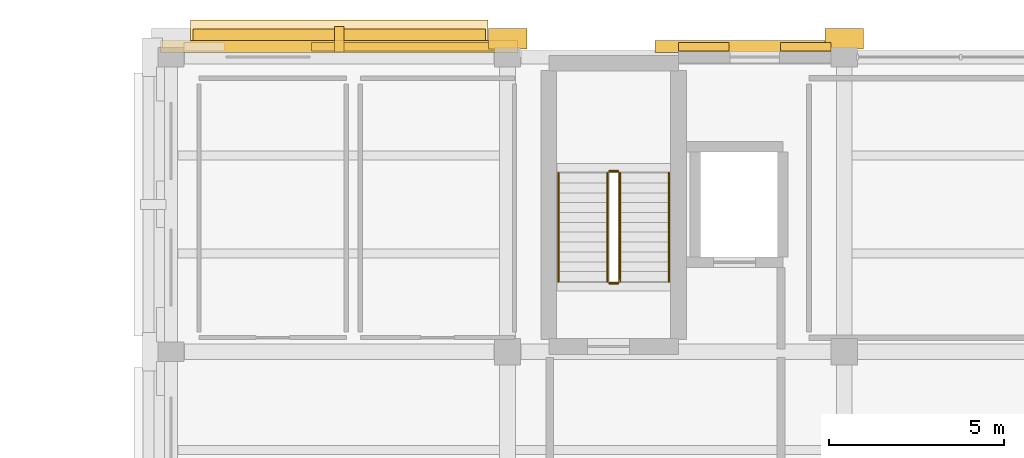
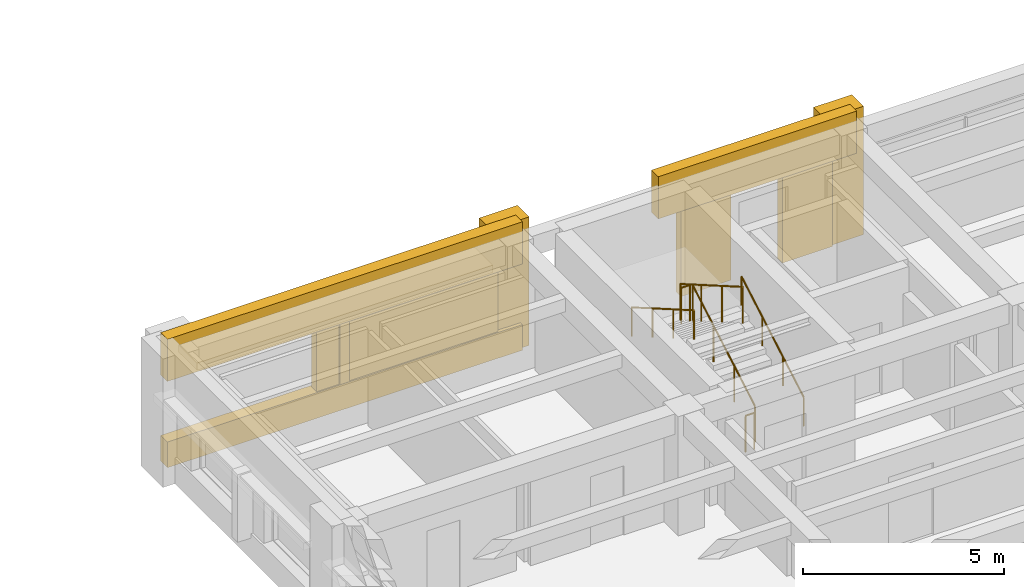
# One storey, part 9 of 10: 10 coverings, 6 railings, 1 shading device.
"""IFC4 building model written with IfcOpenShell, lengths in metres."""

from ifc_helpers import new_model, si_unit, direction, frame, origin, origin_2d, place, context, subcontext, project, spatial, rectangle, circle, extrude, material, layer, layer_set, type_object, element, save


model = new_model("IFC4")

# Units and contexts
model_context = context("Model", 3, precision=1e-05, world=origin(), true_north=direction((0.0, 1.0)))
body_context = subcontext(model_context, "Body", "Model", "MODEL_VIEW")
ifc_project = project(units=[si_unit("LENGTHUNIT", "METRE"), si_unit("AREAUNIT", "SQUARE_METRE"), si_unit("VOLUMEUNIT", "CUBIC_METRE"), si_unit("PLANEANGLEUNIT", "RADIAN"), si_unit("MASSUNIT", "GRAM", prefix="KILO")], contexts=[model_context])

# Site, building, storey
site_placement = place(None, origin())
site = spatial("IfcSite", under=ifc_project, at=site_placement, CompositionType="ELEMENT")
building_placement = place(site_placement, origin())
building = spatial("IfcBuilding", under=site, at=building_placement, Name="Bempovik Park Faculty of Sciences", CompositionType="ELEMENT")
storey_placement = place(building_placement, frame((0.0, 0.0, 26.699951171875)))
storey = spatial("IfcBuildingStorey", under=building, at=storey_placement, Name="L06", CompositionType="ELEMENT", Elevation=26.699951171875)

# Coverings
ifc_material_1 = material(Name="Precast concrete C40/50", Category="concrete")
ifc_layer_1 = layer(ifc_material_1, 0.179931640625)
ifc_layer_set_1 = layer_set([ifc_layer_1], Name="Precast concrete C40/50")
covering_type_1 = type_object("IfcCoveringType", Name="CL-02 Classical Cornice Band 180mm", PredefinedType="CLADDING", material=ifc_layer_set_1)
covering_1_placement = place(storey_placement, frame((64.800048828125, 120.0, 2.66015625), z_axis=(0.0, 0.0, 1.0), x_axis=(1.0, 0.0, 0.0)))
element("IfcCovering", 1, at=covering_1_placement, inside=storey, type_object=covering_type_1, Name="L06 Classical Stone Solar Window Hood EW-L06-10384", PredefinedType="CLADDING", context=body_context, shape_type="SweptSolid", body=[
    extrude(rectangle(XDim=8.49609375, YDim=0.919921875, at=origin_2d()), origin(), (0.0, 0.0, 1.0), 0.219970703125),
])
ifc_material_2 = material(Name="White reconstituted limestone precast C40/50", Category="masonry")
ifc_layer_2 = layer(ifc_material_2, 0.239990234375)
ifc_layer_set_2 = layer_set([ifc_layer_2], Name="White reconstituted limestone precast C40/50")
covering_type_2 = type_object("IfcCoveringType", Name="CL-03 Classical Fluted Limestone Pilaster 240mm", PredefinedType="CLADDING", material=ifc_layer_set_2)
covering_2_placement = place(storey_placement, frame((64.800048828125, 119.7099609375, 2.6201171875), z_axis=(0.0, 0.0, 1.0), x_axis=(1.0, 0.0, 0.0)))
element("IfcCovering", 2, at=covering_2_placement, inside=storey, type_object=covering_type_2, Name="L06 Classical Limestone Spandrel Entablature EW-L06-10384", PredefinedType="CLADDING", context=body_context, shape_type="SweptSolid", body=[
    extrude(rectangle(XDim=10.196044921875, YDim=0.340087890625, at=origin_2d()), origin(), (0.0, 0.0, 1.0), 1.280029296875),
])
covering_3_placement = place(storey_placement, frame((64.800048828125, 119.7099609375, 0.0), z_axis=(0.0, 0.0, 1.0), x_axis=(1.0, 0.0, 0.0)))
element("IfcCovering", 3, at=covering_3_placement, inside=storey, type_object=covering_type_2, Name="L06 Classical Limestone Sill Dado EW-L06-10384", PredefinedType="CLADDING", context=body_context, shape_type="SweptSolid", body=[
    extrude(rectangle(XDim=10.196044921875, YDim=0.340087890625, at=origin_2d()), origin(), (0.0, 0.0, 1.0), 0.780029296875),
])
covering_4_placement = place(storey_placement, frame((69.60009765625, 119.929931640625, 0.0), z_axis=(0.0, 0.0, 1.0), x_axis=(1.0, 0.0, 0.0)))
element("IfcCovering", 4, at=covering_4_placement, inside=storey, type_object=covering_type_2, Name="L06 Classical Fluted Stone Pilaster PIL-BA-L06-696-1199", PredefinedType="CLADDING", context=body_context, shape_type="SweptSolid", body=[
    extrude(rectangle(XDim=1.10009765625, YDim=0.580078125, at=origin_2d()), origin(), (0.0, 0.0, 1.0), 3.89990234375),
])
covering_5_placement = place(storey_placement, frame((66.6142578125, 119.699951171875, 0.0), z_axis=(0.0, 0.0, 1.0), x_axis=(1.0, 0.0, 0.0)))
element("IfcCovering", 5, at=covering_5_placement, inside=storey, type_object=covering_type_2, Name="L06 White Limestone Wall Cheek EW-L06-10384-2", PredefinedType="CLADDING", context=body_context, shape_type="SweptSolid", body=[
    extrude(rectangle(XDim=5.217529296875, YDim=0.239990234375, at=origin_2d()), origin(), (0.0, 0.0, 1.0), 2.780029296875),
])
covering_6_placement = place(storey_placement, frame((64.800048828125, 119.909912109375, 0.64990234375), z_axis=(0.0, 0.0, 1.0), x_axis=(1.0, 0.0, 0.0)))
element("IfcCovering", 6, at=covering_6_placement, inside=storey, type_object=covering_type_2, Name="L06 Classical Vertical Stone Shading Fin EW-L06-10384", PredefinedType="CLADDING", context=body_context, shape_type="SweptSolid", body=[
    extrude(rectangle(XDim=0.280029296875, YDim=0.719970703125, at=origin_2d()), origin(), (0.0, 0.0, 1.0), 2.050048828125),
])
covering_7_placement = place(storey_placement, frame((76.6494140625, 119.7099609375, 2.6201171875), z_axis=(0.0, 0.0, 1.0), x_axis=(1.0, 0.0, 0.0)))
element("IfcCovering", 7, at=covering_7_placement, inside=storey, type_object=covering_type_2, Name="L06 Classical Limestone Spandrel Entablature EW-L06-10395", PredefinedType="CLADDING", context=body_context, shape_type="SweptSolid", body=[
    extrude(rectangle(XDim=5.697021484375, YDim=0.340087890625, at=origin_2d()), origin(), (0.0, 0.0, 1.0), 1.280029296875),
])
covering_8_placement = place(storey_placement, frame((79.199951171875, 119.929931640625, 0.0), z_axis=(0.0, 0.0, 1.0), x_axis=(1.0, 0.0, 0.0)))
element("IfcCovering", 8, at=covering_8_placement, inside=storey, type_object=covering_type_2, Name="L06 Classical Fluted Stone Pilaster PIL-BA-L06-792-1199", PredefinedType="CLADDING", context=body_context, shape_type="SweptSolid", body=[
    extrude(rectangle(XDim=1.10009765625, YDim=0.580078125, at=origin_2d()), origin(), (0.0, 0.0, 1.0), 3.89990234375),
])
for number, where, z_axis, x_axis, name in (
    (9, (75.19287109375, 119.699951171875, 0.0), (0.0, 0.0, 1.0), (1.0, 0.0, 0.0), "L06 Stairwell White Limestone Cheek EW-L06-10395-1"),
    (10, (78.106201171875, 119.699951171875, 0.0), (0.0, 0.0, 1.0), (1.0, 0.0, 0.0), "L06 Stairwell White Limestone Cheek EW-L06-10395-2"),
):
    element("IfcCovering", number, at=place(storey_placement, frame(where, z_axis=z_axis, x_axis=x_axis)), inside=storey, type_object=covering_type_2, Name=name, PredefinedType="CLADDING", context=body_context, shape_type="SweptSolid", body=[
        extrude(rectangle(XDim=1.43359375, YDim=0.239990234375, at=origin_2d()), origin(), (0.0, 0.0, 1.0), 2.780029296875),
    ])

# Railings
ifc_material_3 = material(Name="Anodised architectural bronze")
railing_type_1 = type_object("IfcRailingType", Name="GR-01 Guardrail 1120mm", PredefinedType="GUARDRAIL", material=ifc_material_3)
railing_1_placement = place(storey_placement, frame((72.800048828125, 113.0, 0.16259765625)))
element("IfcRailing", 11, at=railing_1_placement, inside=storey, type_object=railing_type_1, Name="L06 ST-1 Stair Guard 1", PredefinedType="GUARDRAIL", context=body_context, shape_type="SweptSolid", body=[
    extrude(circle(Radius=0.02392578125, at=origin_2d()), frame((0.0, 0.0, 1.09619140625), z_axis=(0.0, 0.865882832026, 0.500246860263), x_axis=(-1.0, 0.0, 0.0)), (0.0, 0.0, 1.0), 3.572998046875),
    extrude(circle(Radius=0.02099609375, at=origin_2d()), origin(), (0.0, 0.0, 1.0), 1.072021484375),
    extrude(circle(Radius=0.02099609375, at=origin_2d()), frame((0.0, 1.03125, 0.595703125)), (0.0, 0.0, 1.0), 1.072021484375),
    extrude(circle(Radius=0.02099609375, at=origin_2d()), frame((0.0, 2.0625, 1.191650390625)), (0.0, 0.0, 1.0), 1.072021484375),
    extrude(circle(Radius=0.02099609375, at=origin_2d()), frame((0.0, 3.09375, 1.787353515625)), (0.0, 0.0, 1.0), 1.072021484375),
])
railing_2_placement = place(storey_placement, frame((72.75, 116.143798828125, 1.949951171875)))
element("IfcRailing", 12, at=railing_2_placement, inside=storey, type_object=railing_type_1, Name="L06 ST-1 Stair Guard 2", PredefinedType="GUARDRAIL", context=body_context, shape_type="SweptSolid", body=[
    extrude(circle(Radius=0.02392578125, at=origin_2d()), frame((0.0, 0.0, 1.09619140625), z_axis=(-1.0, 0.0, 0.0), x_axis=(0.0, -1.0, 0.0)), (0.0, 0.0, 1.0), 0.25),
    extrude(circle(Radius=0.02099609375, at=origin_2d()), origin(), (0.0, 0.0, 1.0), 1.072021484375),
    extrude(circle(Radius=0.02099609375, at=origin_2d()), frame((-0.25, 0.0, 0.0)), (0.0, 0.0, 1.0), 1.072021484375),
])
railing_3_placement = place(storey_placement, frame((72.449951171875, 116.09375, 2.112548828125)))
element("IfcRailing", 13, at=railing_3_placement, inside=storey, type_object=railing_type_1, Name="L06 ST-1 Stair Guard 3", PredefinedType="GUARDRAIL", context=body_context, shape_type="SweptSolid", body=[
    extrude(circle(Radius=0.02392578125, at=origin_2d()), frame((0.0, 0.0, 1.09619140625), z_axis=(0.0, -0.865853233856, 0.500298088565), x_axis=(1.0, 0.0, 0.0)), (0.0, 0.0, 1.0), 3.572998046875),
    extrude(circle(Radius=0.02099609375, at=origin_2d()), origin(), (0.0, 0.0, 1.0), 1.072021484375),
    extrude(circle(Radius=0.02099609375, at=origin_2d()), frame((0.0, -1.03125, 0.595947265625)), (0.0, 0.0, 1.0), 1.072021484375),
    extrude(circle(Radius=0.02099609375, at=origin_2d()), frame((0.0, -2.0625, 1.191650390625)), (0.0, 0.0, 1.0), 1.072021484375),
    extrude(circle(Radius=0.02099609375, at=origin_2d()), frame((0.0, -3.09375, 1.78759765625)), (0.0, 0.0, 1.0), 1.072021484375),
])
railing_4_placement = place(storey_placement, frame((72.75, 112.949951171875, 0.0)))
element("IfcRailing", 14, at=railing_4_placement, inside=storey, type_object=railing_type_1, Name="L06 ST-1 Stair Guard 4", PredefinedType="GUARDRAIL", context=body_context, shape_type="SweptSolid", body=[
    extrude(circle(Radius=0.02392578125, at=origin_2d()), frame((0.0, 0.0, 1.09619140625), z_axis=(-1.0, 0.0, 0.0), x_axis=(0.0, -1.0, 0.0)), (0.0, 0.0, 1.0), 0.25),
    extrude(circle(Radius=0.02099609375, at=origin_2d()), origin(), (0.0, 0.0, 1.0), 1.072021484375),
    extrude(circle(Radius=0.02099609375, at=origin_2d()), frame((-0.25, 0.0, 0.0)), (0.0, 0.0, 1.0), 1.072021484375),
])
railing_type_2 = type_object("IfcRailingType", Name="HR-01 Wall Handrail 900mm", PredefinedType="HANDRAIL", material=ifc_material_3)
railing_5_placement = place(storey_placement, frame((74.199951171875, 113.0, 0.16259765625)))
element("IfcRailing", 15, at=railing_5_placement, inside=storey, type_object=railing_type_2, Name="L06 ST-1 Stair Handrail 1", PredefinedType="HANDRAIL", context=body_context, shape_type="SweptSolid", body=[
    extrude(circle(Radius=0.02392578125, at=origin_2d()), frame((0.0, 0.0, 0.8759765625), z_axis=(0.0, 0.865882832026, 0.500246860263), x_axis=(-1.0, 0.0, 0.0)), (0.0, 0.0, 1.0), 3.572998046875),
    extrude(circle(Radius=0.02099609375, at=origin_2d()), origin(), (0.0, 0.0, 1.0), 0.851806640625),
    extrude(circle(Radius=0.02099609375, at=origin_2d()), frame((0.0, 1.03125, 0.595703125)), (0.0, 0.0, 1.0), 0.851806640625),
    extrude(circle(Radius=0.02099609375, at=origin_2d()), frame((0.0, 2.0625, 1.191650390625)), (0.0, 0.0, 1.0), 0.851806640625),
    extrude(circle(Radius=0.02099609375, at=origin_2d()), frame((0.0, 3.09375, 1.787353515625)), (0.0, 0.0, 1.0), 0.851806640625),
])
railing_6_placement = place(storey_placement, frame((71.050048828125, 116.09375, 2.112548828125)))
element("IfcRailing", 16, at=railing_6_placement, inside=storey, type_object=railing_type_2, Name="L06 ST-1 Stair Handrail 2", PredefinedType="HANDRAIL", context=body_context, shape_type="SweptSolid", body=[
    extrude(circle(Radius=0.02392578125, at=origin_2d()), frame((0.0, 0.0, 0.8759765625), z_axis=(0.0, -0.865853233856, 0.500298088565), x_axis=(1.0, 0.0, 0.0)), (0.0, 0.0, 1.0), 3.572998046875),
    extrude(circle(Radius=0.02099609375, at=origin_2d()), origin(), (0.0, 0.0, 1.0), 0.851806640625),
    extrude(circle(Radius=0.02099609375, at=origin_2d()), frame((0.0, -1.03125, 0.595947265625)), (0.0, 0.0, 1.0), 0.851806640625),
    extrude(circle(Radius=0.02099609375, at=origin_2d()), frame((0.0, -2.0625, 1.191650390625)), (0.0, 0.0, 1.0), 0.851806640625),
    extrude(circle(Radius=0.02099609375, at=origin_2d()), frame((0.0, -3.09375, 1.78759765625)), (0.0, 0.0, 1.0), 0.851806640625),
])

# Shading device
ifc_layer_3 = layer(ifc_material_3, 0.06005859375)
ifc_layer_set_3 = layer_set([ifc_layer_3], Name="Anodised architectural bronze")
shading_device_type = type_object("IfcShadingDeviceType", Name="SH-01 Bronze Brise-Soleil Fin", PredefinedType="USERDEFINED", material=ifc_layer_set_3)
shading_device_placement = place(storey_placement, frame((64.800048828125, 119.8798828125, 2.60009765625), z_axis=(0.0, 0.0, 1.0), x_axis=(1.0, 0.0, 0.0)))
element("IfcShadingDevice", 17, at=shading_device_placement, inside=storey, type_object=shading_device_type, Name="L06 Equatorial Bronze Brise-Soleil EW-L06-10384", ObjectType="BRISE SOLEIL", PredefinedType="USERDEFINED", context=body_context, shape_type="SweptSolid", body=[
    extrude(rectangle(XDim=8.345947265625, YDim=0.64990234375, at=origin_2d()), origin(), (0.0, 0.0, 1.0), 0.06005859375),
])

save(model, "model.ifc")
